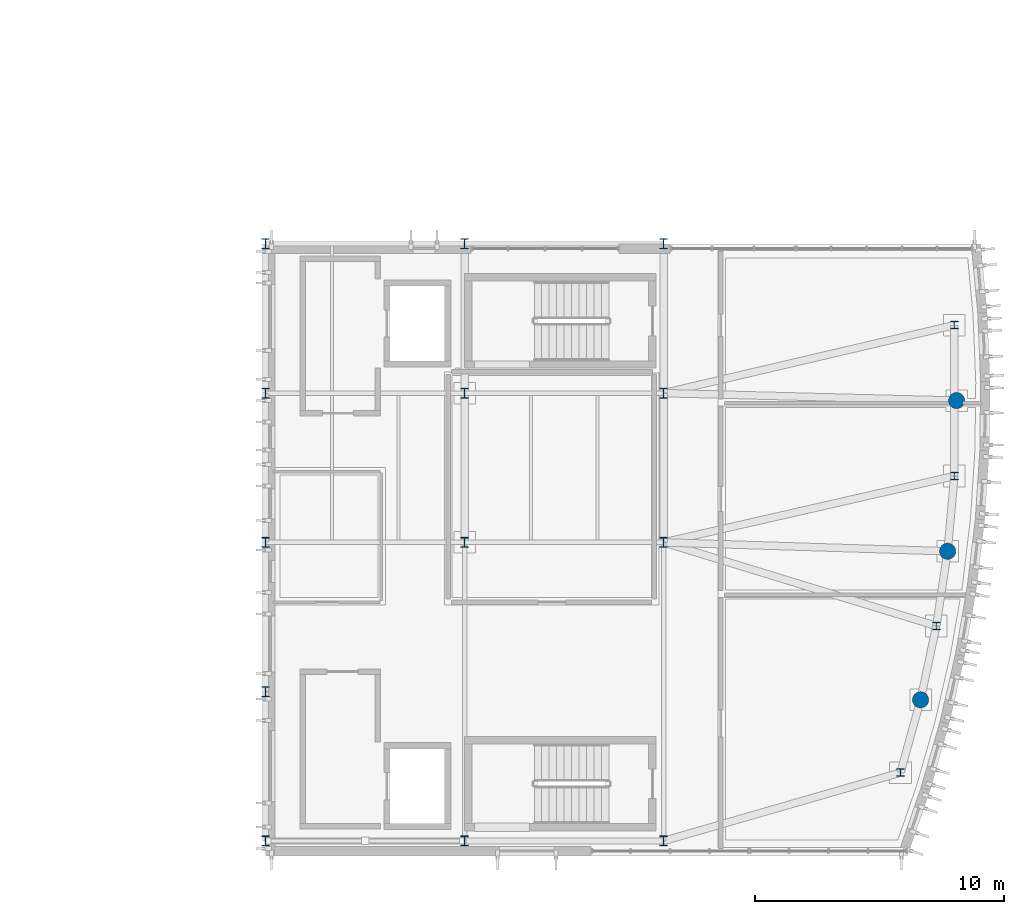
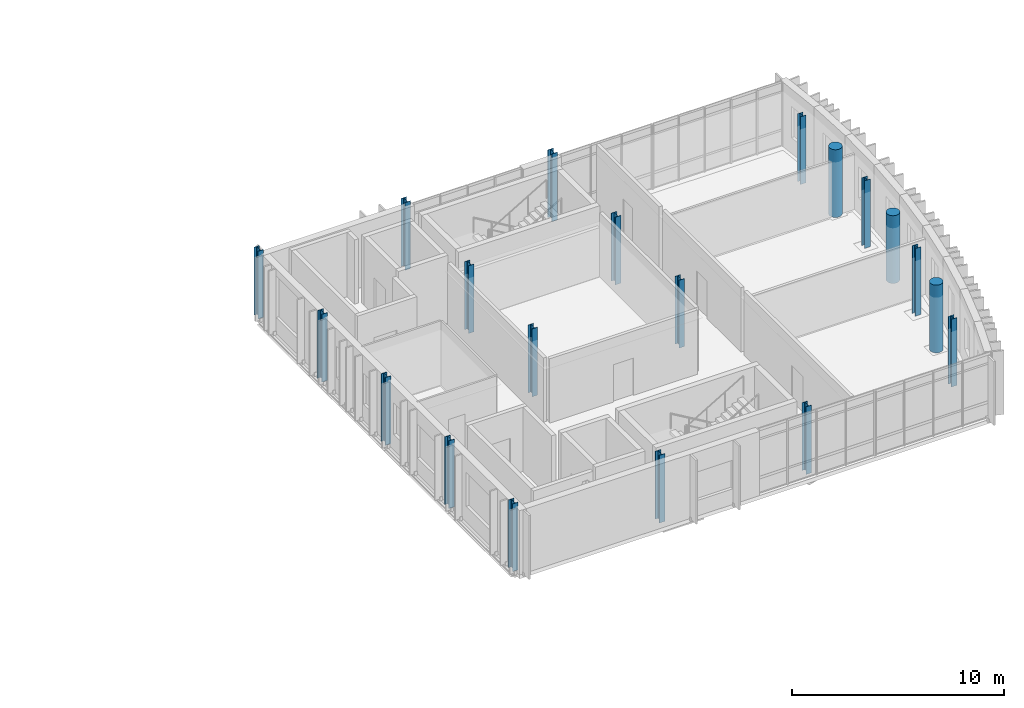
# One storey, part 2 of 28: 20 columns.
"""IFC4 building model written with IfcOpenShell, lengths in metres."""

from ifc_helpers import new_model, si_unit, direction, frame, origin, origin_2d, place, context, subcontext, project, spatial, circle, i_section, extrude, material, material_profile, profile_set, type_object, element, save


model = new_model("IFC4")

# Units and contexts
model_context = context("Model", 3, precision=1e-05, world=origin(), true_north=direction((0.0, 1.0)))
body_context = subcontext(model_context, "Body", "Model", "MODEL_VIEW")
ifc_project = project(units=[si_unit("LENGTHUNIT", "METRE"), si_unit("AREAUNIT", "SQUARE_METRE"), si_unit("VOLUMEUNIT", "CUBIC_METRE"), si_unit("PLANEANGLEUNIT", "RADIAN"), si_unit("MASSUNIT", "GRAM", prefix="KILO")], contexts=[model_context])

# Site, building, storey
site_placement = place(None, origin())
site = spatial("IfcSite", under=ifc_project, at=site_placement, CompositionType="ELEMENT")
building_placement = place(site_placement, origin())
building = spatial("IfcBuilding", under=site, at=building_placement, Name="Cymarion Research Institute", CompositionType="ELEMENT")
storey_placement = place(building_placement, frame((0.0, 0.0, 30.60009765625)))
storey = spatial("IfcBuildingStorey", under=building, at=storey_placement, Name="L07", CompositionType="ELEMENT", Elevation=30.60009765625)

# Columns
ifc_material_1 = material(Name="Steel S355", Category="steel")
ifc_material_profile_1 = material_profile(ifc_material_1, i_section(OverallWidth=0.300048828125, OverallDepth=0.39990234375, WebThickness=0.013427734375, FlangeThickness=0.02392578125, FilletRadius=0.027099609375, at=origin_2d()), Name="HEB 400")
ifc_profile_set_1 = profile_set([ifc_material_profile_1], Name="Steel S355")
column_type_1 = type_object("IfcColumnType", Name="STRUCTURAL COLUMN C06 HEB 400", PredefinedType="COLUMN", material=ifc_profile_set_1)
for number, where, z_axis, x_axis, name in (
    (1, (138.60009765625, 5.5, 0.0), (0.0, 0.0, 1.0), (1.0, 0.0, 0.0), "L07 V1 column C06 #1257"),
    (2, (138.60009765625, 11.5, 0.0), (0.0, 0.0, 1.0), (1.0, 0.0, 0.0), "L07 V1 column C06 #1258"),
    (3, (138.60009765625, 17.5, 0.0), (0.0, 0.0, 1.0), (1.0, 0.0, 0.0), "L07 V1 column C06 #1259"),
    (4, (138.60009765625, 23.5, 0.0), (0.0, 0.0, 1.0), (1.0, 0.0, 0.0), "L07 V1 column C06 #1260"),
    (5, (138.60009765625, 29.5, 0.0), (0.0, 0.0, 1.0), (1.0, 0.0, 0.0), "L07 V1 column C06 #1261"),
    (6, (146.60009765625, 5.5, 0.0), (0.0, 0.0, 1.0), (1.0, 0.0, 0.0), "L07 V1 column C06 #1262"),
    (7, (146.60009765625, 17.5, 0.0), (0.0, 0.0, 1.0), (1.0, 0.0, 0.0), "L07 V1 column C06 #1263"),
    (8, (146.60009765625, 23.5, 0.0), (0.0, 0.0, 1.0), (1.0, 0.0, 0.0), "L07 V1 column C06 #1264"),
    (9, (146.60009765625, 29.5, 0.0), (0.0, 0.0, 1.0), (1.0, 0.0, 0.0), "L07 V1 column C06 #1265"),
    (10, (154.60009765625, 5.5, 0.0), (0.0, 0.0, 1.0), (1.0, 0.0, 0.0), "L07 V1 column C06 #1266"),
    (11, (154.60009765625, 17.5, 0.0), (0.0, 0.0, 1.0), (1.0, 0.0, 0.0), "L07 V1 column C06 #1267"),
    (12, (154.60009765625, 23.5, 0.0), (0.0, 0.0, 1.0), (1.0, 0.0, 0.0), "L07 V1 column C06 #1268"),
    (13, (154.60009765625, 29.5, 0.0), (0.0, 0.0, 1.0), (1.0, 0.0, 0.0), "L07 V1 column C06 #1269"),
):
    element("IfcColumn", number, at=place(storey_placement, frame(where, z_axis=z_axis, x_axis=x_axis)), inside=storey, type_object=column_type_1, Name=name, PredefinedType="COLUMN", context=body_context, shape_type="SweptSolid", body=[
        extrude(i_section(OverallWidth=0.300048828125, OverallDepth=0.39990234375, WebThickness=0.013427734375, FlangeThickness=0.02392578125, FilletRadius=0.027099609375, at=origin_2d()), origin(), (0.0, 0.0, 1.0), 3.89990234375),
    ])
ifc_material_profile_2 = material_profile(ifc_material_1, i_section(OverallWidth=0.300048828125, OverallDepth=0.300048828125, WebThickness=0.010986328125, FlangeThickness=0.01904296875, FilletRadius=0.027099609375, at=origin_2d()), Name="HEB 300")
ifc_profile_set_2 = profile_set([ifc_material_profile_2], Name="Steel S355")
column_type_2 = type_object("IfcColumnType", Name="STRUCTURAL COLUMN C08 HEB 300", PredefinedType="COLUMN", material=ifc_profile_set_2)
for number, where, z_axis, x_axis, name in (
    (14, (164.118896484375, 8.2470703125, 0.0), (0.0, 0.0, 1.0), (1.0, 0.0, 0.0), "L07 V1 column C08 #1270"),
    (15, (165.559814453125, 14.1416015625, 0.0), (0.0, 0.0, 1.0), (1.0, 0.0, 0.0), "L07 V1 column C08 #1272"),
    (16, (166.285400390625, 20.166015625, 0.0), (0.0, 0.0, 1.0), (1.0, 0.0, 0.0), "L07 V1 column C08 #1274"),
    (17, (166.285400390625, 26.23388671875, 0.0), (0.0, 0.0, 1.0), (1.0, 0.0, 0.0), "L07 V1 column C08 #1275"),
):
    element("IfcColumn", number, at=place(storey_placement, frame(where, z_axis=z_axis, x_axis=x_axis)), inside=storey, type_object=column_type_2, Name=name, PredefinedType="COLUMN", context=body_context, shape_type="SweptSolid", body=[
        extrude(i_section(OverallWidth=0.300048828125, OverallDepth=0.300048828125, WebThickness=0.010986328125, FlangeThickness=0.01904296875, FilletRadius=0.027099609375, at=origin_2d()), origin(), (0.0, 0.0, 1.0), 3.89990234375),
    ])
ifc_material_2 = material(Name="Concrete C40/50", Category="concrete")
ifc_material_profile_3 = material_profile(ifc_material_2, circle(Radius=0.324951171875, at=origin_2d()), Name="RC D650")
ifc_profile_set_3 = profile_set([ifc_material_profile_3], Name="Concrete C40/50")
column_type_3 = type_object("IfcColumnType", Name="STRUCTURAL COLUMN C21 RC D650", PredefinedType="COLUMN", material=ifc_profile_set_3)
for number, where, z_axis, x_axis, name in (
    (18, (164.927734375, 11.172607421875, 0.0), (0.0, 0.0, 1.0), (1.0, 0.0, 0.0), "L07 V1 column C21 #1271"),
    (19, (166.012939453125, 17.142822265625, 0.0), (0.0, 0.0, 1.0), (1.0, 0.0, 0.0), "L07 V1 column C21 #1273"),
    (20, (166.37646484375, 23.199951171875, 0.0), (0.0, 0.0, 1.0), (1.0, 0.0, 0.0), "L07 V1 column C21 #1276"),
):
    element("IfcColumn", number, at=place(storey_placement, frame(where, z_axis=z_axis, x_axis=x_axis)), inside=storey, type_object=column_type_3, Name=name, PredefinedType="COLUMN", context=body_context, shape_type="SweptSolid", body=[
        extrude(circle(Radius=0.324951171875, at=origin_2d()), origin(), (0.0, 0.0, 1.0), 3.89990234375),
    ])

save(model, "model.ifc")
